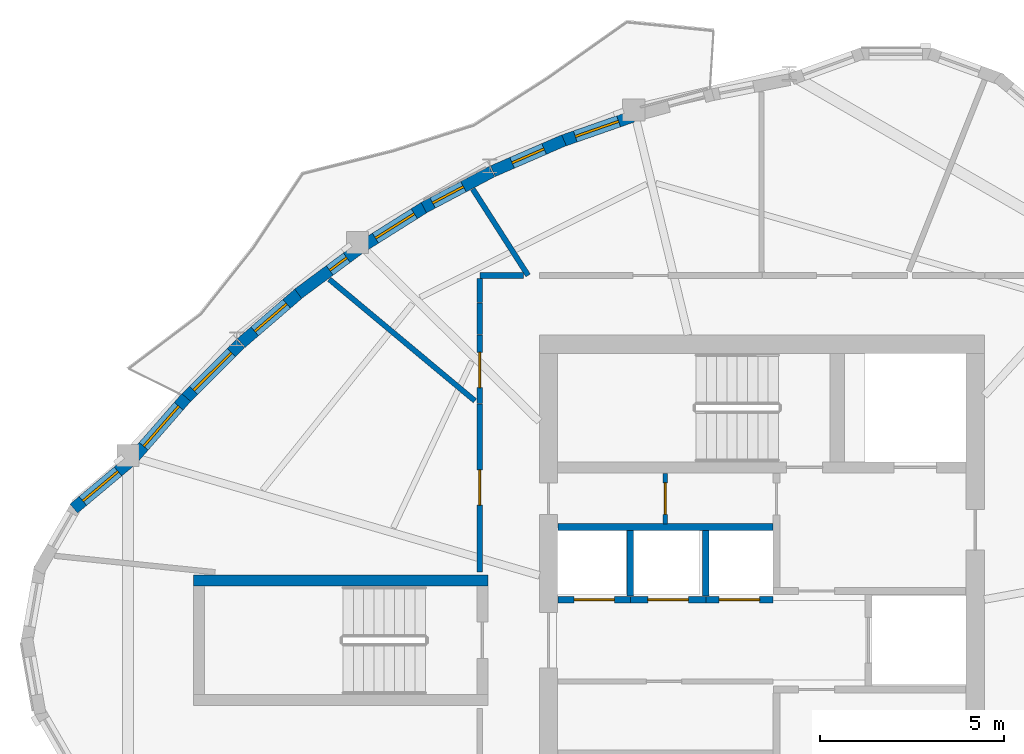
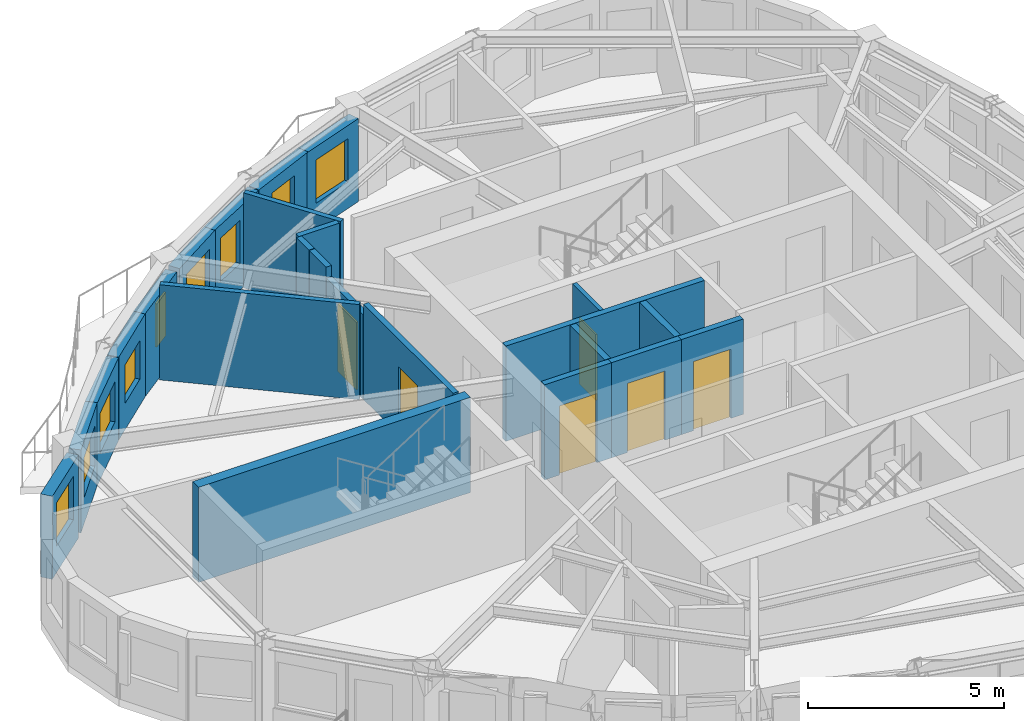
# One storey, part 5 of 11: 24 walls, 9 windows, 6 doors, 15 openings.
"""IFC4 building model written with IfcOpenShell, lengths in metres."""

from ifc_helpers import new_model, si_unit, direction, frame, frame_2d, origin, place, context, subcontext, project, spatial, rectangle, extrude, source, transform, mapped, material, layer, layer_set, type_object, element, fill, save


model = new_model("IFC4")

# Units and contexts
model_context = context("Model", 3, precision=1e-05, world=origin(), true_north=direction((0.0, 1.0)))
body_context = subcontext(model_context, "Body", "Model", "MODEL_VIEW")
ifc_project = project(units=[si_unit("LENGTHUNIT", "METRE"), si_unit("AREAUNIT", "SQUARE_METRE"), si_unit("VOLUMEUNIT", "CUBIC_METRE"), si_unit("PLANEANGLEUNIT", "RADIAN"), si_unit("MASSUNIT", "GRAM", prefix="KILO")], contexts=[model_context])

# Site, building, storey
site_placement = place(None, origin())
site = spatial("IfcSite", under=ifc_project, at=site_placement, CompositionType="ELEMENT")
building_placement = place(site_placement, origin())
building = spatial("IfcBuilding", under=site, at=building_placement, Name="Qafzar Sky-Pleat Residences", CompositionType="ELEMENT")
storey_placement = place(building_placement, frame((0.0, 0.0, 237.199951171875)))
storey = spatial("IfcBuildingStorey", under=building, at=storey_placement, Name="L71", CompositionType="ELEMENT", Elevation=237.199951171875)

# Wall, opening, door
ifc_material_1 = material(Name="Acoustic gypsum plasterboard partition", Category="gypsum")
ifc_layer_1 = layer(ifc_material_1, 0.159912109375)
ifc_layer_set_1 = layer_set([ifc_layer_1], Name="Acoustic gypsum plasterboard partition")
wall_type_1 = type_object("IfcWallType", Name="PART-COR-160", PredefinedType="PARTITIONING", material=ifc_layer_set_1)
wall_1_placement = place(storey_placement, frame((22.679931640625, 27.85009765625, 0.0), z_axis=(0.0, 0.0, 1.0), x_axis=(0.0, 1.0, 0.0)))
wall_1 = element("IfcWall", 1, at=wall_1_placement, inside=storey, type_object=wall_type_1, Name="L71 Partition Wall PART-L71-PW-003", PredefinedType="PARTITIONING", context=body_context, shape_type="SweptSolid", body=[
    extrude(rectangle(XDim=4.56884765625, YDim=0.159912109375, at=frame_2d((2.284423828125, 0.0))), origin(), (0.0, 0.0, 1.0), 2.9599609375),
])
opening_1_placement = place(wall_1_placement, frame((1.824462890625, 0.0, 0.0)))
opening_1 = element("IfcOpeningElement", 2, at=opening_1_placement, cuts=wall_1, Name="Opening ID-06", PredefinedType="OPENING", context=body_context, shape_type="SweptSolid", body=[
    extrude(rectangle(XDim=0.9599609375, YDim=2.10009765625, at=frame_2d((0.47998046875, 1.050048828125))), frame((0.0, 0.08984375, 0.0), z_axis=(0.0, -1.0, 0.0), x_axis=(1.0, 0.0, 0.0)), (0.0, 0.0, 1.0), 0.179931640625),
])
ifc_material_2 = material(Name="Timber-faced fire door", Category="wood")
door_type_1 = type_object("IfcDoorType", Name="DR-STD-960", OperationType="NOTDEFINED", PredefinedType="DOOR", material=ifc_material_2)
shared_shape_1 = source(origin(), body_context, "Body", "SweptSolid", [
    extrude(rectangle(XDim=0.9599609375, YDim=2.10009765625, at=frame_2d((0.47998046875, 1.050048828125))), frame((0.0, 0.02490234375, 0.0), z_axis=(0.0, -1.0, 0.0), x_axis=(1.0, 0.0, 0.0)), (0.0, 0.0, 1.0), 0.050048828125),
])
door_1_placement = place(opening_1_placement, origin())
door_1 = element("IfcDoor", 3, at=door_1_placement, inside=storey, type_object=door_type_1, Name="L71 Scholar Co-Working Workspace Door", OperationType="SINGLE_SWING_RIGHT", OverallHeight=2.10009765625, OverallWidth=0.9599609375, PredefinedType="DOOR", context=body_context, shape_type="MappedRepresentation", body=[
    mapped(shared_shape_1, transform((0.0, 0.0, 0.0), x_axis=(1.0, 0.0, 0.0), y_axis=(0.0, 1.0, 0.0), z_axis=(0.0, 0.0, 1.0), scale=1.0)),
])
fill(opening_1, door_1)

wall_2_placement = place(storey_placement, frame((22.679931640625, 32.43408203125, 0.0), z_axis=(0.0, 0.0, 1.0), x_axis=(0.0, 1.0, 0.0)))
wall_2 = element("IfcWall", 4, at=wall_2_placement, inside=storey, type_object=wall_type_1, Name="L71 Partition Wall PART-L71-PW-010", PredefinedType="PARTITIONING", context=body_context, shape_type="SweptSolid", body=[
    extrude(rectangle(XDim=1.865966796875, YDim=0.159912109375, at=frame_2d((0.93310546875, 0.0))), origin(), (0.0, 0.0, 1.0), 2.6279296875),
])
opening_2_placement = place(wall_2_placement, frame((0.43603515625, 0.0, 0.0)))
opening_2 = element("IfcOpeningElement", 5, at=opening_2_placement, cuts=wall_2, Name="Opening ID-06", PredefinedType="OPENING", context=body_context, shape_type="SweptSolid", body=[
    extrude(rectangle(XDim=0.9599609375, YDim=2.10009765625, at=frame_2d((0.47998046875, 1.050048828125))), frame((0.0, 0.08984375, 0.0), z_axis=(0.0, -1.0, 0.0), x_axis=(1.0, 0.0, 0.0)), (0.0, 0.0, 1.0), 0.179931640625),
])
door_2_placement = place(opening_2_placement, origin())
door_2 = element("IfcDoor", 6, at=door_2_placement, inside=storey, type_object=door_type_1, Name="L71 Quiet Prayer Room Door", OperationType="SINGLE_SWING_RIGHT", OverallHeight=2.10009765625, OverallWidth=0.9599609375, PredefinedType="DOOR", context=body_context, shape_type="MappedRepresentation", body=[
    mapped(shared_shape_1, transform((0.0, 0.0, 0.0), x_axis=(1.0, 0.0, 0.0), y_axis=(0.0, 1.0, 0.0), z_axis=(0.0, 0.0, 1.0), scale=1.0)),
])
fill(opening_2, door_2)

# Walls
wall_3_placement = place(storey_placement, frame((22.679931640625, 35.919921875, 0.0), z_axis=(0.0, 0.0, 1.0), x_axis=(1.0, 0.0, 0.0)))
element("IfcWall", 7, at=wall_3_placement, inside=storey, type_object=wall_type_1, Name="L71 Partition Wall PART-L71-PW-026", PredefinedType="PARTITIONING", context=body_context, shape_type="SweptSolid", body=[
    extrude(rectangle(XDim=1.186767578125, YDim=0.159912109375, at=frame_2d((0.59326171875, 0.0))), origin(), (0.0, 0.0, 1.0), 2.9599609375),
])
wall_4_placement = place(storey_placement, frame((22.679931640625, 34.31494140625, 0.0), z_axis=(0.0, 0.0, 1.0), x_axis=(0.0, 1.0, 0.0)))
element("IfcWall", 8, at=wall_4_placement, inside=storey, type_object=wall_type_1, Name="L71 Partition Wall PART-L71-PW-028", PredefinedType="PARTITIONING", context=body_context, shape_type="SweptSolid", body=[
    extrude(rectangle(XDim=0.859130859375, YDim=0.159912109375, at=frame_2d((0.4296875, 0.0))), origin(), (0.0, 0.0, 1.0), 2.9599609375),
])
wall_5_placement = place(storey_placement, frame((22.679931640625, 35.18896484375, 0.0), z_axis=(0.0, 0.0, 1.0), x_axis=(0.0, 1.0, 0.0)))
element("IfcWall", 9, at=wall_5_placement, inside=storey, type_object=wall_type_1, Name="L71 Partition Wall PART-L71-PW-029", PredefinedType="PARTITIONING", context=body_context, shape_type="SweptSolid", body=[
    extrude(rectangle(XDim=0.64306640625, YDim=0.159912109375, at=frame_2d((0.321533203125, 0.0))), origin(), (0.0, 0.0, 1.0), 2.9599609375),
])
ifc_material_3 = material(Name="Concrete blockwork partition", Category="masonry")
ifc_layer_2 = layer(ifc_material_3, 0.179931640625)
ifc_layer_set_2 = layer_set([ifc_layer_2], Name="Concrete blockwork partition")
wall_type_2 = type_object("IfcWallType", Name="PART-SHAFT-180", PredefinedType="PARTITIONING", material=ifc_layer_set_2)
wall_6_placement = place(storey_placement, frame((24.81005859375, 29.080078125, 0.0), z_axis=(0.0, 0.0, 1.0), x_axis=(1.0, 0.0, 0.0)))
element("IfcWall", 10, at=wall_6_placement, inside=storey, type_object=wall_type_2, Name="L71 Partition Wall PART-L71-P46-N", PredefinedType="PARTITIONING", context=body_context, shape_type="SweptSolid", body=[
    extrude(rectangle(XDim=5.83984375, YDim=0.179931640625, at=frame_2d((2.919921875, 0.0))), origin(), (0.0, 0.0, 1.0), 2.9599609375),
])

# Wall, opening, door
wall_7_placement = place(storey_placement, frame((24.81005859375, 27.10009765625, 0.0), z_axis=(0.0, 0.0, 1.0), x_axis=(1.0, 0.0, 0.0)))
wall_7 = element("IfcWall", 11, at=wall_7_placement, inside=storey, type_object=wall_type_2, Name="L71 Partition Wall PART-L71-P4-S", PredefinedType="PARTITIONING", context=body_context, shape_type="SweptSolid", body=[
    extrude(rectangle(XDim=1.96484375, YDim=0.179931640625, at=frame_2d((0.982421875, 0.0))), origin(), (0.0, 0.0, 1.0), 2.9599609375),
])
opening_3_placement = place(wall_7_placement, frame((0.4326171875, 0.0, 0.0)))
opening_3 = element("IfcOpeningElement", 12, at=opening_3_placement, cuts=wall_7, Name="Opening LD-01", PredefinedType="OPENING", context=body_context, shape_type="SweptSolid", body=[
    extrude(rectangle(XDim=1.10009765625, YDim=2.14990234375, at=frame_2d((0.550048828125, 1.074951171875))), frame((0.0, 0.10009765625, 0.0), z_axis=(0.0, -1.0, 0.0), x_axis=(1.0, 0.0, 0.0)), (0.0, 0.0, 1.0), 0.199951171875),
])
ifc_material_4 = material(Name="Stainless steel sliding landing door", Category="steel")
door_type_2 = type_object("IfcDoorType", Name="DR-LIFT-P", OperationType="DOUBLE_DOOR_SLIDING", PredefinedType="DOOR", material=ifc_material_4)
shared_shape_2 = source(origin(), body_context, "Body", "SweptSolid", [
    extrude(rectangle(XDim=1.10009765625, YDim=2.14990234375, at=frame_2d((0.550048828125, 1.074951171875))), frame((0.0, 0.02490234375, 0.0), z_axis=(0.0, -1.0, 0.0), x_axis=(1.0, 0.0, 0.0)), (0.0, 0.0, 1.0), 0.050048828125),
])
door_3_placement = place(opening_3_placement, origin())
door_3 = element("IfcDoor", 13, at=door_3_placement, inside=storey, type_object=door_type_2, Name="L71 Passenger Lift P4 Landing Door", OperationType="DOUBLE_DOOR_SLIDING", OverallHeight=2.14990234375, OverallWidth=1.10009765625, PredefinedType="DOOR", context=body_context, shape_type="MappedRepresentation", body=[
    mapped(shared_shape_2, transform((0.0, 0.0, 0.0), x_axis=(1.0, 0.0, 0.0), y_axis=(0.0, 1.0, 0.0), z_axis=(0.0, 0.0, 1.0), scale=1.0)),
])
fill(opening_3, door_3)

wall_8_placement = place(storey_placement, frame((26.77490234375, 27.10009765625, 0.0), z_axis=(0.0, 0.0, 1.0), x_axis=(1.0, 0.0, 0.0)))
wall_8 = element("IfcWall", 14, at=wall_8_placement, inside=storey, type_object=wall_type_2, Name="L71 Partition Wall PART-L71-P5-S", PredefinedType="PARTITIONING", context=body_context, shape_type="SweptSolid", body=[
    extrude(rectangle(XDim=2.050048828125, YDim=0.179931640625, at=frame_2d((1.02490234375, 0.0))), origin(), (0.0, 0.0, 1.0), 2.9599609375),
])
opening_4_placement = place(wall_8_placement, frame((0.47509765625, 0.0, 0.0)))
opening_4 = element("IfcOpeningElement", 15, at=opening_4_placement, cuts=wall_8, Name="Opening LD-01", PredefinedType="OPENING", context=body_context, shape_type="SweptSolid", body=[
    extrude(rectangle(XDim=1.10009765625, YDim=2.14990234375, at=frame_2d((0.550048828125, 1.074951171875))), frame((0.0, 0.10009765625, 0.0), z_axis=(0.0, -1.0, 0.0), x_axis=(1.0, 0.0, 0.0)), (0.0, 0.0, 1.0), 0.199951171875),
])
door_4_placement = place(opening_4_placement, origin())
door_4 = element("IfcDoor", 16, at=door_4_placement, inside=storey, type_object=door_type_2, Name="L71 Passenger Lift P5 Landing Door", OperationType="DOUBLE_DOOR_SLIDING", OverallHeight=2.14990234375, OverallWidth=1.10009765625, PredefinedType="DOOR", context=body_context, shape_type="MappedRepresentation", body=[
    mapped(shared_shape_2, transform((0.0, 0.0, 0.0), x_axis=(1.0, 0.0, 0.0), y_axis=(0.0, 1.0, 0.0), z_axis=(0.0, 0.0, 1.0), scale=1.0)),
])
fill(opening_4, door_4)

# Wall
wall_9_placement = place(storey_placement, frame((26.77490234375, 27.199951171875, 0.0), z_axis=(0.0, 0.0, 1.0), x_axis=(0.0, 1.0, 0.0)))
element("IfcWall", 17, at=wall_9_placement, inside=storey, type_object=wall_type_2, Name="L71 Partition Wall PART-L71-P46-DIV-1", PredefinedType="PARTITIONING", context=body_context, shape_type="SweptSolid", body=[
    extrude(rectangle(XDim=1.780029296875, YDim=0.179931640625, at=frame_2d((0.89013671875, 0.0))), origin(), (0.0, 0.0, 1.0), 2.9599609375),
])

# Wall, opening, door
wall_10_placement = place(storey_placement, frame((28.824951171875, 27.10009765625, 0.0), z_axis=(0.0, 0.0, 1.0), x_axis=(1.0, 0.0, 0.0)))
wall_10 = element("IfcWall", 18, at=wall_10_placement, inside=storey, type_object=wall_type_2, Name="L71 Partition Wall PART-L71-P6-S", PredefinedType="PARTITIONING", context=body_context, shape_type="SweptSolid", body=[
    extrude(rectangle(XDim=1.824951171875, YDim=0.179931640625, at=frame_2d((0.91259765625, 0.0))), origin(), (0.0, 0.0, 1.0), 2.9599609375),
])
opening_5_placement = place(wall_10_placement, frame((0.362548828125, 0.0, 0.0)))
opening_5 = element("IfcOpeningElement", 19, at=opening_5_placement, cuts=wall_10, Name="Opening LD-01", PredefinedType="OPENING", context=body_context, shape_type="SweptSolid", body=[
    extrude(rectangle(XDim=1.10009765625, YDim=2.14990234375, at=frame_2d((0.550048828125, 1.074951171875))), frame((0.0, 0.10009765625, 0.0), z_axis=(0.0, -1.0, 0.0), x_axis=(1.0, 0.0, 0.0)), (0.0, 0.0, 1.0), 0.199951171875),
])
door_5_placement = place(opening_5_placement, origin())
door_5 = element("IfcDoor", 20, at=door_5_placement, inside=storey, type_object=door_type_2, Name="L71 Passenger Lift P6 Landing Door", OperationType="DOUBLE_DOOR_SLIDING", OverallHeight=2.14990234375, OverallWidth=1.10009765625, PredefinedType="DOOR", context=body_context, shape_type="MappedRepresentation", body=[
    mapped(shared_shape_2, transform((0.0, 0.0, 0.0), x_axis=(1.0, 0.0, 0.0), y_axis=(0.0, 1.0, 0.0), z_axis=(0.0, 0.0, 1.0), scale=1.0)),
])
fill(opening_5, door_5)

# Wall
wall_11_placement = place(storey_placement, frame((28.824951171875, 27.199951171875, 0.0), z_axis=(0.0, 0.0, 1.0), x_axis=(0.0, 1.0, 0.0)))
element("IfcWall", 21, at=wall_11_placement, inside=storey, type_object=wall_type_2, Name="L71 Partition Wall PART-L71-P46-DIV-2", PredefinedType="PARTITIONING", context=body_context, shape_type="SweptSolid", body=[
    extrude(rectangle(XDim=1.780029296875, YDim=0.179931640625, at=frame_2d((0.89013671875, 0.0))), origin(), (0.0, 0.0, 1.0), 2.9599609375),
])

# Wall, opening, door
ifc_material_5 = material(Name="Gypsum plasterboard partition", Category="gypsum")
ifc_layer_3 = layer(ifc_material_5, 0.114990234375)
ifc_layer_set_3 = layer_set([ifc_layer_3], Name="Gypsum plasterboard partition")
wall_type_3 = type_object("IfcWallType", Name="PART-SVC-115", PredefinedType="PARTITIONING", material=ifc_layer_set_3)
wall_12_placement = place(storey_placement, frame((27.72509765625, 29.159912109375, 0.0), z_axis=(0.0, 0.0, 1.0), x_axis=(0.0, 1.0, 0.0)))
wall_12 = element("IfcWall", 22, at=wall_12_placement, inside=storey, type_object=wall_type_3, Name="L71 Partition Wall PART-L71-KB-NW", PredefinedType="PARTITIONING", context=body_context, shape_type="SweptSolid", body=[
    extrude(rectangle(XDim=1.380126953125, YDim=0.114990234375, at=frame_2d((0.68994140625, 0.0))), origin(), (0.0, 0.0, 1.0), 2.9599609375),
])
opening_6_placement = place(wall_12_placement, frame((0.260009765625, 0.0, 0.0)))
opening_6 = element("IfcOpeningElement", 23, at=opening_6_placement, cuts=wall_12, Name="Opening ID-09", PredefinedType="OPENING", context=body_context, shape_type="SweptSolid", body=[
    extrude(rectangle(XDim=0.860107421875, YDim=2.050048828125, at=frame_2d((0.43017578125, 1.02490234375))), frame((0.0, 0.0673828125, 0.0), z_axis=(0.0, -1.0, 0.0), x_axis=(1.0, 0.0, 0.0)), (0.0, 0.0, 1.0), 0.135009765625),
])
door_type_3 = type_object("IfcDoorType", Name="DR-SVC-860", OperationType="NOTDEFINED", PredefinedType="DOOR", material=ifc_material_2)
shared_shape_3 = source(origin(), body_context, "Body", "SweptSolid", [
    extrude(rectangle(XDim=0.860107421875, YDim=2.050048828125, at=frame_2d((0.43017578125, 1.02490234375))), frame((0.0, 0.02490234375, 0.0), z_axis=(0.0, -1.0, 0.0), x_axis=(1.0, 0.0, 0.0)), (0.0, 0.0, 1.0), 0.050048828125),
])
door_6_placement = place(opening_6_placement, origin())
door_6 = element("IfcDoor", 24, at=door_6_placement, inside=storey, type_object=door_type_3, Name="L71 IT Cupboard Door", OperationType="SINGLE_SWING_RIGHT", OverallHeight=2.050048828125, OverallWidth=0.860107421875, PredefinedType="DOOR", context=body_context, shape_type="MappedRepresentation", body=[
    mapped(shared_shape_3, transform((0.0, 0.0, 0.0), x_axis=(1.0, 0.0, 0.0), y_axis=(0.0, 1.0, 0.0), z_axis=(0.0, 0.0, 1.0), scale=1.0)),
])
fill(opening_6, door_6)

# Walls
ifc_layer_4 = layer(ifc_material_1, 0.14501953125)
ifc_layer_set_4 = layer_set([ifc_layer_4], Name="Acoustic gypsum plasterboard partition")
wall_type_4 = type_object("IfcWallType", Name="PART-UNIT-145", PredefinedType="PARTITIONING", material=ifc_layer_set_4)
wall_13_placement = place(storey_placement, frame((18.585693359375, 35.81689453125, 0.0), z_axis=(0.0, 0.0, 1.0), x_axis=(0.767767335808, -0.640728739848, 0.0)))
element("IfcWall", 25, at=wall_13_placement, inside=storey, type_object=wall_type_4, Name="L71 Partition Wall PART-L71-PW-012", PredefinedType="PARTITIONING", context=body_context, shape_type="SweptSolid", body=[
    extrude(rectangle(XDim=5.159912109375, YDim=0.14501953125, at=frame_2d((2.580078125, 0.0))), origin(), (0.0, 0.0, 1.0), 2.9599609375),
])
wall_14_placement = place(storey_placement, frame((22.48876953125, 38.27001953125, 0.0), z_axis=(0.0, 0.0, 1.0), x_axis=(0.539324255944, -0.842098181301, 0.0)))
element("IfcWall", 26, at=wall_14_placement, inside=storey, type_object=wall_type_4, Name="L71 Partition Wall PART-L71-PW-020", PredefinedType="PARTITIONING", context=body_context, shape_type="SweptSolid", body=[
    extrude(rectangle(XDim=2.790771484375, YDim=0.14501953125, at=frame_2d((1.3955078125, 0.0))), origin(), (0.0, 0.0, 1.0), 2.9599609375),
])

# Wall, opening, window
ifc_material_6 = material(Name="Precast concrete C40/50 with honed Riyadh limestone", Category="concrete")
ifc_layer_5 = layer(ifc_material_6, 0.320068359375)
ifc_layer_set_5 = layer_set([ifc_layer_5], Name="Precast concrete C40/50 with honed Riyadh limestone")
wall_type_5 = type_object("IfcWallType", Name="WALL-EXT-320", PredefinedType="SOLIDWALL", material=ifc_layer_set_5)
wall_15_placement = place(storey_placement, frame((13.143798828125, 30.842529296875, 0.0), z_axis=(0.0, 0.0, 1.0), x_axis=(-0.76606505432, -0.642763045414, 0.0)))
wall_15 = element("IfcWall", 27, at=wall_15_placement, inside=storey, type_object=wall_type_5, Name="L71 Limestone Facade Wall 1", PredefinedType="SOLIDWALL", context=body_context, shape_type="SweptSolid", body=[
    extrude(rectangle(XDim=1.962158203125, YDim=0.320068359375, at=frame_2d((0.98095703125, 0.0))), origin(), (0.0, 0.0, 1.0), 2.580078125),
])
opening_7_placement = place(wall_15_placement, frame((0.39111328125, 0.0, 0.820068359375)))
opening_7 = element("IfcOpeningElement", 28, at=opening_7_placement, cuts=wall_15, Name="Opening WN-11", PredefinedType="OPENING", context=body_context, shape_type="SweptSolid", body=[
    extrude(rectangle(XDim=1.25, YDim=1.35009765625, at=frame_2d((0.625, 0.675048828125))), frame((0.0, 0.169921875, 0.0), z_axis=(0.0, -1.0, 0.0), x_axis=(1.0, 0.0, 0.0)), (0.0, 0.0, 1.0), 0.340087890625),
])
ifc_material_7 = material(Name="Solar-control low-E glass in bronze aluminium frame", Category="glass")
window_type_1 = type_object("IfcWindowType", Name="WIN-11", PartitioningType="SINGLE_PANEL", PredefinedType="WINDOW", material=ifc_material_7)
shared_shape_4 = source(origin(), body_context, "Body", "SweptSolid", [
    extrude(rectangle(XDim=1.25, YDim=1.35009765625, at=frame_2d((0.625, 0.675048828125))), frame((0.0, 0.030029296875, 0.0), z_axis=(0.0, -1.0, 0.0), x_axis=(1.0, 0.0, 0.0)), (0.0, 0.0, 1.0), 0.06005859375),
])
window_1_placement = place(opening_7_placement, origin())
window_1 = element("IfcWindow", 29, at=window_1_placement, inside=storey, type_object=window_type_1, Name="L71 Punched Facade Window 01", OverallHeight=1.35009765625, OverallWidth=1.25, PartitioningType="SINGLE_PANEL", PredefinedType="WINDOW", context=body_context, shape_type="MappedRepresentation", body=[
    mapped(shared_shape_4, transform((0.0, 0.0, 0.0), x_axis=(1.0, 0.0, 0.0), y_axis=(0.0, 1.0, 0.0), z_axis=(0.0, 0.0, 1.0), scale=1.0)),
])
fill(opening_7, window_1)

wall_16_placement = place(storey_placement, frame((26.83447265625, 40.24267578125, 0.0), z_axis=(0.0, 0.0, 1.0), x_axis=(-0.944112804798, -0.32962252929, 0.0)))
wall_16 = element("IfcWall", 30, at=wall_16_placement, inside=storey, type_object=wall_type_5, Name="L71 Limestone Facade Wall 41", PredefinedType="SOLIDWALL", context=body_context, shape_type="SweptSolid", body=[
    extrude(rectangle(XDim=2.06201171875, YDim=0.320068359375, at=frame_2d((1.031005859375, 0.0))), origin(), (0.0, 0.0, 1.0), 2.580078125),
])
opening_8_placement = place(wall_16_placement, frame((0.40087890625, 0.0, 0.820068359375)))
opening_8 = element("IfcOpeningElement", 31, at=opening_8_placement, cuts=wall_16, Name="Opening WN-11", PredefinedType="OPENING", context=body_context, shape_type="SweptSolid", body=[
    extrude(rectangle(XDim=1.25, YDim=1.35009765625, at=frame_2d((0.625, 0.675048828125))), frame((0.0, 0.169921875, 0.0), z_axis=(0.0, -1.0, 0.0), x_axis=(1.0, 0.0, 0.0)), (0.0, 0.0, 1.0), 0.340087890625),
])
window_2_placement = place(opening_8_placement, origin())
window_2 = element("IfcWindow", 32, at=window_2_placement, inside=storey, type_object=window_type_1, Name="L71 Punched Facade Window 41", OverallHeight=1.35009765625, OverallWidth=1.25, PartitioningType="SINGLE_PANEL", PredefinedType="WINDOW", context=body_context, shape_type="MappedRepresentation", body=[
    mapped(shared_shape_4, transform((0.0, 0.0, 0.0), x_axis=(1.0, 0.0, 0.0), y_axis=(0.0, 1.0, 0.0), z_axis=(0.0, 0.0, 1.0), scale=1.0)),
])
fill(opening_8, window_2)

wall_17_placement = place(storey_placement, frame((24.969482421875, 39.59521484375, 0.0), z_axis=(0.0, 0.0, 1.0), x_axis=(-0.917071897365, -0.398721876831, 0.0)))
wall_17 = element("IfcWall", 33, at=wall_17_placement, inside=storey, type_object=wall_type_5, Name="L71 Limestone Facade Wall 42", PredefinedType="SOLIDWALL", context=body_context, shape_type="SweptSolid", body=[
    extrude(rectangle(XDim=2.108154296875, YDim=0.320068359375, at=frame_2d((1.05419921875, 0.0))), origin(), (0.0, 0.0, 1.0), 2.580078125),
])
opening_9_placement = place(wall_17_placement, frame((0.589111328125, 0.0, 0.820068359375)))
opening_9 = element("IfcOpeningElement", 34, at=opening_9_placement, cuts=wall_17, Name="Opening WN-12", PredefinedType="OPENING", context=body_context, shape_type="SweptSolid", body=[
    extrude(rectangle(XDim=0.949951171875, YDim=1.35009765625, at=frame_2d((0.47509765625, 0.675048828125))), frame((0.0, 0.169921875, 0.0), z_axis=(0.0, -1.0, 0.0), x_axis=(1.0, 0.0, 0.0)), (0.0, 0.0, 1.0), 0.340087890625),
])
window_type_2 = type_object("IfcWindowType", Name="WIN-12", PartitioningType="SINGLE_PANEL", PredefinedType="WINDOW", material=ifc_material_7)
shared_shape_5 = source(origin(), body_context, "Body", "SweptSolid", [
    extrude(rectangle(XDim=0.949951171875, YDim=1.35009765625, at=frame_2d((0.47509765625, 0.675048828125))), frame((0.0, 0.030029296875, 0.0), z_axis=(0.0, -1.0, 0.0), x_axis=(1.0, 0.0, 0.0)), (0.0, 0.0, 1.0), 0.06005859375),
])
window_3_placement = place(opening_9_placement, origin())
window_3 = element("IfcWindow", 35, at=window_3_placement, inside=storey, type_object=window_type_2, Name="L71 Punched Facade Window 42", OverallHeight=1.35009765625, OverallWidth=0.949951171875, PartitioningType="SINGLE_PANEL", PredefinedType="WINDOW", context=body_context, shape_type="MappedRepresentation", body=[
    mapped(shared_shape_5, transform((0.0, 0.0, 0.0), x_axis=(1.0, 0.0, 0.0), y_axis=(0.0, 1.0, 0.0), z_axis=(0.0, 0.0, 1.0), scale=1.0)),
])
fill(opening_9, window_3)

wall_18_placement = place(storey_placement, frame((23.010986328125, 38.74267578125, 0.0), z_axis=(0.0, 0.0, 1.0), x_axis=(-0.884356705668, -0.466811757713, 0.0)))
wall_18 = element("IfcWall", 36, at=wall_18_placement, inside=storey, type_object=wall_type_5, Name="L71 Limestone Facade Wall 43", PredefinedType="SOLIDWALL", context=body_context, shape_type="SweptSolid", body=[
    extrude(rectangle(XDim=2.09619140625, YDim=0.320068359375, at=frame_2d((1.048095703125, 0.0))), origin(), (0.0, 0.0, 1.0), 2.580078125),
])
opening_10_placement = place(wall_18_placement, frame((0.875244140625, 0.0, 0.820068359375)))
opening_10 = element("IfcOpeningElement", 37, at=opening_10_placement, cuts=wall_18, Name="Opening WN-12", PredefinedType="OPENING", context=body_context, shape_type="SweptSolid", body=[
    extrude(rectangle(XDim=0.949951171875, YDim=1.35009765625, at=frame_2d((0.47509765625, 0.675048828125))), frame((0.0, 0.169921875, 0.0), z_axis=(0.0, -1.0, 0.0), x_axis=(1.0, 0.0, 0.0)), (0.0, 0.0, 1.0), 0.340087890625),
])
window_4_placement = place(opening_10_placement, origin())
window_4 = element("IfcWindow", 38, at=window_4_placement, inside=storey, type_object=window_type_2, Name="L71 Punched Facade Window 43-2", OverallHeight=1.35009765625, OverallWidth=0.949951171875, PartitioningType="SINGLE_PANEL", PredefinedType="WINDOW", context=body_context, shape_type="MappedRepresentation", body=[
    mapped(shared_shape_5, transform((0.0, 0.0, 0.0), x_axis=(1.0, 0.0, 0.0), y_axis=(0.0, 1.0, 0.0), z_axis=(0.0, 0.0, 1.0), scale=1.0)),
])
fill(opening_10, window_4)

wall_19_placement = place(storey_placement, frame((21.2333984375, 37.80810546875, 0.0), z_axis=(0.0, 0.0, 1.0), x_axis=(-0.84640381825, -0.532541619454, 0.0)))
wall_19 = element("IfcWall", 39, at=wall_19_placement, inside=storey, type_object=wall_type_5, Name="L71 Limestone Facade Wall 44", PredefinedType="SOLIDWALL", context=body_context, shape_type="SweptSolid", body=[
    extrude(rectangle(XDim=2.0263671875, YDim=0.320068359375, at=frame_2d((1.01318359375, 0.0))), origin(), (0.0, 0.0, 1.0), 2.580078125),
])
opening_11_placement = place(wall_19_placement, frame((0.39306640625, 0.0, 0.820068359375)))
opening_11 = element("IfcOpeningElement", 40, at=opening_11_placement, cuts=wall_19, Name="Opening WN-11", PredefinedType="OPENING", context=body_context, shape_type="SweptSolid", body=[
    extrude(rectangle(XDim=1.25, YDim=1.35009765625, at=frame_2d((0.625, 0.675048828125))), frame((0.0, 0.169921875, 0.0), z_axis=(0.0, -1.0, 0.0), x_axis=(1.0, 0.0, 0.0)), (0.0, 0.0, 1.0), 0.340087890625),
])
window_5_placement = place(opening_11_placement, origin())
window_5 = element("IfcWindow", 41, at=window_5_placement, inside=storey, type_object=window_type_1, Name="L71 Punched Facade Window 44", OverallHeight=1.35009765625, OverallWidth=1.25, PartitioningType="SINGLE_PANEL", PredefinedType="WINDOW", context=body_context, shape_type="MappedRepresentation", body=[
    mapped(shared_shape_4, transform((0.0, 0.0, 0.0), x_axis=(1.0, 0.0, 0.0), y_axis=(0.0, 1.0, 0.0), z_axis=(0.0, 0.0, 1.0), scale=1.0)),
])
fill(opening_11, window_5)

wall_20_placement = place(storey_placement, frame((19.3798828125, 36.634521484375, 0.0), z_axis=(0.0, 0.0, 1.0), x_axis=(-0.803849917549, -0.594832169654, 0.0)))
wall_20 = element("IfcWall", 42, at=wall_20_placement, inside=storey, type_object=wall_type_5, Name="L71 Limestone Facade Wall 45", PredefinedType="SOLIDWALL", context=body_context, shape_type="SweptSolid", body=[
    extrude(rectangle(XDim=2.038330078125, YDim=0.320068359375, at=frame_2d((1.01904296875, 0.0))), origin(), (0.0, 0.0, 1.0), 2.580078125),
])
opening_12_placement = place(wall_20_placement, frame((0.3916015625, 0.0, 0.820068359375)))
opening_12 = element("IfcOpeningElement", 43, at=opening_12_placement, cuts=wall_20, Name="Opening WN-17", PredefinedType="OPENING", context=body_context, shape_type="SweptSolid", body=[
    extrude(rectangle(XDim=0.580078125, YDim=1.35009765625, at=frame_2d((0.2900390625, 0.675048828125))), frame((0.0, 0.169921875, 0.0), z_axis=(0.0, -1.0, 0.0), x_axis=(1.0, 0.0, 0.0)), (0.0, 0.0, 1.0), 0.340087890625),
])
window_type_3 = type_object("IfcWindowType", Name="WIN-17", PartitioningType="SINGLE_PANEL", PredefinedType="WINDOW", material=ifc_material_7)
shared_shape_6 = source(origin(), body_context, "Body", "SweptSolid", [
    extrude(rectangle(XDim=0.580078125, YDim=1.35009765625, at=frame_2d((0.2900390625, 0.675048828125))), frame((0.0, 0.030029296875, 0.0), z_axis=(0.0, -1.0, 0.0), x_axis=(1.0, 0.0, 0.0)), (0.0, 0.0, 1.0), 0.06005859375),
])
window_6_placement = place(opening_12_placement, origin())
window_6 = element("IfcWindow", 44, at=window_6_placement, inside=storey, type_object=window_type_3, Name="L71 Punched Facade Window 45", OverallHeight=1.35009765625, OverallWidth=0.580078125, PartitioningType="SINGLE_PANEL", PredefinedType="WINDOW", context=body_context, shape_type="MappedRepresentation", body=[
    mapped(shared_shape_6, transform((0.0, 0.0, 0.0), x_axis=(1.0, 0.0, 0.0), y_axis=(0.0, 1.0, 0.0), z_axis=(0.0, 0.0, 1.0), scale=1.0)),
])
fill(opening_12, window_6)

wall_21_placement = place(storey_placement, frame((17.81005859375, 35.476806640625, 0.0), z_axis=(0.0, 0.0, 1.0), x_axis=(-0.757507609111, -0.652826333827, 0.0)))
wall_21 = element("IfcWall", 45, at=wall_21_placement, inside=storey, type_object=wall_type_5, Name="L71 Limestone Facade Wall 46", PredefinedType="SOLIDWALL", context=body_context, shape_type="SweptSolid", body=[
    extrude(rectangle(XDim=2.131591796875, YDim=0.320068359375, at=frame_2d((1.06591796875, 0.0))), origin(), (0.0, 0.0, 1.0), 2.580078125),
])
opening_13_placement = place(wall_21_placement, frame((0.5009765625, 0.0, 0.820068359375)))
opening_13 = element("IfcOpeningElement", 46, at=opening_13_placement, cuts=wall_21, Name="Opening WN-16", PredefinedType="OPENING", context=body_context, shape_type="SweptSolid", body=[
    extrude(rectangle(XDim=1.14990234375, YDim=1.199951171875, at=frame_2d((0.574951171875, 0.60009765625))), frame((0.0, 0.169921875, 0.0), z_axis=(0.0, -1.0, 0.0), x_axis=(1.0, 0.0, 0.0)), (0.0, 0.0, 1.0), 0.340087890625),
])
window_type_4 = type_object("IfcWindowType", Name="WIN-16", PartitioningType="SINGLE_PANEL", PredefinedType="WINDOW", material=ifc_material_7)
shared_shape_7 = source(origin(), body_context, "Body", "SweptSolid", [
    extrude(rectangle(XDim=1.14990234375, YDim=1.199951171875, at=frame_2d((0.574951171875, 0.60009765625))), frame((0.0, 0.030029296875, 0.0), z_axis=(0.0, -1.0, 0.0), x_axis=(1.0, 0.0, 0.0)), (0.0, 0.0, 1.0), 0.06005859375),
])
window_7_placement = place(opening_13_placement, origin())
window_7 = element("IfcWindow", 47, at=window_7_placement, inside=storey, type_object=window_type_4, Name="L71 Punched Facade Window 46", OverallHeight=1.199951171875, OverallWidth=1.14990234375, PartitioningType="SINGLE_PANEL", PredefinedType="WINDOW", context=body_context, shape_type="MappedRepresentation", body=[
    mapped(shared_shape_7, transform((0.0, 0.0, 0.0), x_axis=(1.0, 0.0, 0.0), y_axis=(0.0, 1.0, 0.0), z_axis=(0.0, 0.0, 1.0), scale=1.0)),
])
fill(opening_13, window_7)

wall_22_placement = place(storey_placement, frame((16.174560546875, 34.065673828125, 0.0), z_axis=(0.0, 0.0, 1.0), x_axis=(-0.708401175315, -0.705810013256, 0.0)))
wall_22 = element("IfcWall", 48, at=wall_22_placement, inside=storey, type_object=wall_type_5, Name="L71 Limestone Facade Wall 47", PredefinedType="SOLIDWALL", context=body_context, shape_type="SweptSolid", body=[
    extrude(rectangle(XDim=2.1669921875, YDim=0.320068359375, at=frame_2d((1.08349609375, 0.0))), origin(), (0.0, 0.0, 1.0), 2.580078125),
])
opening_14_placement = place(wall_22_placement, frame((0.348388671875, 0.0, 0.820068359375)))
opening_14 = element("IfcOpeningElement", 49, at=opening_14_placement, cuts=wall_22, Name="Opening WN-15", PredefinedType="OPENING", context=body_context, shape_type="SweptSolid", body=[
    extrude(rectangle(XDim=1.449951171875, YDim=1.25, at=frame_2d((0.72509765625, 0.625))), frame((0.0, 0.169921875, 0.0), z_axis=(0.0, -1.0, 0.0), x_axis=(1.0, 0.0, 0.0)), (0.0, 0.0, 1.0), 0.340087890625),
])
window_type_5 = type_object("IfcWindowType", Name="WIN-15", PartitioningType="SINGLE_PANEL", PredefinedType="WINDOW", material=ifc_material_7)
shared_shape_8 = source(origin(), body_context, "Body", "SweptSolid", [
    extrude(rectangle(XDim=1.449951171875, YDim=1.25, at=frame_2d((0.72509765625, 0.625))), frame((0.0, 0.030029296875, 0.0), z_axis=(0.0, -1.0, 0.0), x_axis=(1.0, 0.0, 0.0)), (0.0, 0.0, 1.0), 0.06005859375),
])
window_8_placement = place(opening_14_placement, origin())
window_8 = element("IfcWindow", 50, at=window_8_placement, inside=storey, type_object=window_type_5, Name="L71 Punched Facade Window 47", OverallHeight=1.25, OverallWidth=1.449951171875, PartitioningType="SINGLE_PANEL", PredefinedType="WINDOW", context=body_context, shape_type="MappedRepresentation", body=[
    mapped(shared_shape_8, transform((0.0, 0.0, 0.0), x_axis=(1.0, 0.0, 0.0), y_axis=(0.0, 1.0, 0.0), z_axis=(0.0, 0.0, 1.0), scale=1.0)),
])
fill(opening_14, window_8)

wall_23_placement = place(storey_placement, frame((14.698974609375, 32.599853515625, 0.0), z_axis=(0.0, 0.0, 1.0), x_axis=(-0.657633017404, -0.753338446132, 0.0)))
wall_23 = element("IfcWall", 51, at=wall_23_placement, inside=storey, type_object=wall_type_5, Name="L71 Limestone Facade Wall 48", PredefinedType="SOLIDWALL", context=body_context, shape_type="SweptSolid", body=[
    extrude(rectangle(XDim=2.142822265625, YDim=0.320068359375, at=frame_2d((1.0712890625, 0.0))), origin(), (0.0, 0.0, 1.0), 2.580078125),
])
opening_15_placement = place(wall_23_placement, frame((0.311279296875, 0.0, 0.820068359375)))
opening_15 = element("IfcOpeningElement", 52, at=opening_15_placement, cuts=wall_23, Name="Opening WN-15", PredefinedType="OPENING", context=body_context, shape_type="SweptSolid", body=[
    extrude(rectangle(XDim=1.449951171875, YDim=1.25, at=frame_2d((0.72509765625, 0.625))), frame((0.0, 0.169921875, 0.0), z_axis=(0.0, -1.0, 0.0), x_axis=(1.0, 0.0, 0.0)), (0.0, 0.0, 1.0), 0.340087890625),
])
window_9_placement = place(opening_15_placement, origin())
window_9 = element("IfcWindow", 53, at=window_9_placement, inside=storey, type_object=window_type_5, Name="L71 Punched Facade Window 48", OverallHeight=1.25, OverallWidth=1.449951171875, PartitioningType="SINGLE_PANEL", PredefinedType="WINDOW", context=body_context, shape_type="MappedRepresentation", body=[
    mapped(shared_shape_8, transform((0.0, 0.0, 0.0), x_axis=(1.0, 0.0, 0.0), y_axis=(0.0, 1.0, 0.0), z_axis=(0.0, 0.0, 1.0), scale=1.0)),
])
fill(opening_15, window_9)

# Wall
ifc_material_8 = material(Name="Concrete C60/75", Category="concrete")
ifc_layer_6 = layer(ifc_material_8, 0.300048828125)
ifc_layer_set_6 = layer_set([ifc_layer_6], Name="Concrete C60/75")
wall_type_6 = type_object("IfcWallType", Name="WALL-SHEAR-300", PredefinedType="SHEAR", material=ifc_layer_set_6)
wall_24_placement = place(storey_placement, frame((22.89990234375, 27.625, 0.0), z_axis=(0.0, 0.0, 1.0), x_axis=(-1.0, 0.0, 0.0)))
element("IfcWall", 54, at=wall_24_placement, inside=storey, type_object=wall_type_6, Name="L71 ST3 wall N", PredefinedType="SHEAR", context=body_context, shape_type="SweptSolid", body=[
    extrude(rectangle(XDim=8.0, YDim=0.300048828125, at=frame_2d((4.0, 0.0))), origin(), (0.0, 0.0, 1.0), 2.9599609375),
])

save(model, "model.ifc")
